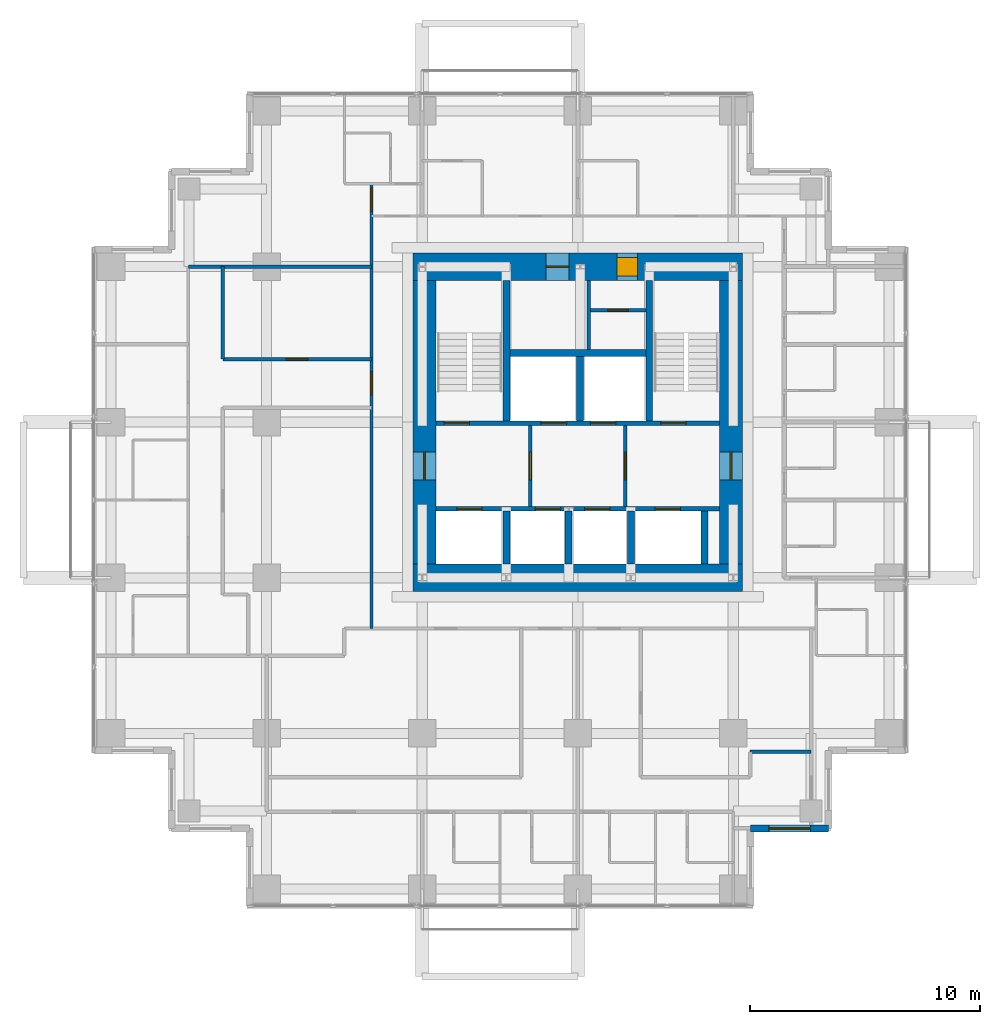
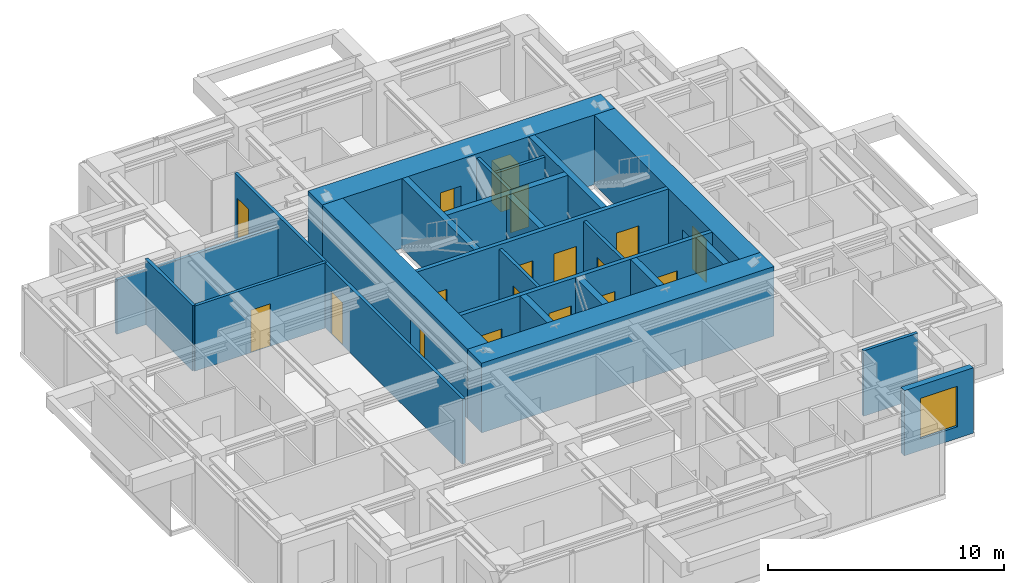
# One storey, part 7 of 10: 24 walls, 18 doors, 1 window, 19 openings.
"""IFC4 building model written with IfcOpenShell, lengths in metres."""

from ifc_helpers import new_model, si_unit, direction, frame, frame_2d, origin, place, context, subcontext, project, spatial, rectangle, extrude, material, layer, layer_set, type_object, element, fill, save


model = new_model("IFC4")

# Units and contexts
model_context = context("Model", 3, precision=1e-05, world=origin(), true_north=direction((0.0, 1.0)))
body_context = subcontext(model_context, "Body", "Model", "MODEL_VIEW")
ifc_project = project(units=[si_unit("LENGTHUNIT", "METRE"), si_unit("AREAUNIT", "SQUARE_METRE"), si_unit("VOLUMEUNIT", "CUBIC_METRE"), si_unit("PLANEANGLEUNIT", "RADIAN"), si_unit("MASSUNIT", "GRAM", prefix="KILO")], contexts=[model_context])

# Site, building, storey
site_placement = place(None, origin())
site = spatial("IfcSite", under=ifc_project, at=site_placement, CompositionType="ELEMENT")
building_placement = place(site_placement, origin())
building = spatial("IfcBuilding", under=site, at=building_placement, Name="Nyansa Garden Tower", CompositionType="ELEMENT")
storey_placement = place(building_placement, frame((0.0, 0.0, 189.0)))
storey = spatial("IfcBuildingStorey", under=building, at=storey_placement, Name="L51", CompositionType="ELEMENT", Elevation=189.0)

# Wall, openings, doors
ifc_material_1 = material(Name="Concrete C70/85", Category="concrete")
ifc_layer_1 = layer(ifc_material_1, 0.199951171875)
ifc_layer_set_1 = layer_set([ifc_layer_1], Name="Core inner wall CI200")
wall_type_1 = type_object("IfcWallType", Name="Core inner wall CI200", PredefinedType="SHEAR", material=ifc_layer_set_1)
wall_1_placement = place(storey_placement, frame((14.10009765625, 16.5, 0.0), z_axis=(0.0, 0.0, 1.0), x_axis=(1.0, 0.0, 0.0)))
wall_1 = element("IfcWall", 1, at=wall_1_placement, inside=storey, type_object=wall_type_1, Name="Core inner wall L51", PredefinedType="SHEAR", context=body_context, shape_type="SweptSolid", body=[
    extrude(rectangle(XDim=12.2998046875, YDim=0.199951171875, at=frame_2d((6.14990234375, 0.0))), origin(), (0.0, 0.0, 1.0), 3.60009765625),
])
opening_1_placement = place(wall_1_placement, frame((0.89990234375, 0.0, 0.0)))
opening_1 = element("IfcOpeningElement", 2, at=opening_1_placement, cuts=wall_1, Name="Opening LD-F", PredefinedType="OPENING", context=body_context, shape_type="SweptSolid", body=[
    extrude(rectangle(XDim=1.10009765625, YDim=2.199951171875, at=frame_2d((0.550048828125, 1.10009765625))), frame((0.0, 0.10986328125, 0.0), z_axis=(0.0, -1.0, 0.0), x_axis=(1.0, 0.0, 0.0)), (0.0, 0.0, 1.0), 0.219970703125),
])
opening_2_placement = place(wall_1_placement, frame((4.31005859375, 0.0, 0.0)))
opening_2 = element("IfcOpeningElement", 3, at=opening_2_placement, cuts=wall_1, Name="Opening LD-B", PredefinedType="OPENING", context=body_context, shape_type="SweptSolid", body=[
    extrude(rectangle(XDim=1.10009765625, YDim=2.199951171875, at=frame_2d((0.550048828125, 1.10009765625))), frame((0.0, 0.10986328125, 0.0), z_axis=(0.0, -1.0, 0.0), x_axis=(1.0, 0.0, 0.0)), (0.0, 0.0, 1.0), 0.219970703125),
])
opening_3_placement = place(wall_1_placement, frame((6.449951171875, 0.0, 0.0)))
opening_3 = element("IfcOpeningElement", 4, at=opening_3_placement, cuts=wall_1, Name="Opening LD-B", PredefinedType="OPENING", context=body_context, shape_type="SweptSolid", body=[
    extrude(rectangle(XDim=1.10009765625, YDim=2.199951171875, at=frame_2d((0.550048828125, 1.10009765625))), frame((0.0, 0.10986328125, 0.0), z_axis=(0.0, -1.0, 0.0), x_axis=(1.0, 0.0, 0.0)), (0.0, 0.0, 1.0), 0.219970703125),
])
opening_4_placement = place(wall_1_placement, frame((9.5, 0.0, 0.0)))
opening_4 = element("IfcOpeningElement", 5, at=opening_4_placement, cuts=wall_1, Name="Opening LD-F", PredefinedType="OPENING", context=body_context, shape_type="SweptSolid", body=[
    extrude(rectangle(XDim=1.10009765625, YDim=2.199951171875, at=frame_2d((0.550048828125, 1.10009765625))), frame((0.0, 0.10986328125, 0.0), z_axis=(0.0, -1.0, 0.0), x_axis=(1.0, 0.0, 0.0)), (0.0, 0.0, 1.0), 0.219970703125),
])
ifc_material_2 = material(Name="Stainless steel centre-opening landing door of the high-rise lift, E 120", Category="steel")
door_type_1 = type_object("IfcDoorType", Name="Lift landing door LD-B 1100x2200", OperationType="DOUBLE_DOOR_SLIDING", PredefinedType="DOOR", material=ifc_material_2)
door_1_placement = place(opening_2_placement, origin())
door_1 = element("IfcDoor", 6, at=door_1_placement, inside=storey, type_object=door_type_1, Name="Landing door B1", OperationType="DOUBLE_DOOR_SLIDING", OverallHeight=2.199951171875, OverallWidth=1.10009765625, PredefinedType="DOOR", context=body_context, shape_type="SweptSolid", body=[
    extrude(rectangle(XDim=1.10009765625, YDim=2.199951171875, at=frame_2d((0.550048828125, 1.10009765625))), frame((0.0, 0.02490234375, 0.0), z_axis=(0.0, -1.0, 0.0), x_axis=(1.0, 0.0, 0.0)), (0.0, 0.0, 1.0), 0.050048828125),
])
fill(opening_2, door_1)
door_2_placement = place(opening_3_placement, origin())
door_2 = element("IfcDoor", 7, at=door_2_placement, inside=storey, type_object=door_type_1, Name="Landing door B2", OperationType="DOUBLE_DOOR_SLIDING", OverallHeight=2.199951171875, OverallWidth=1.10009765625, PredefinedType="DOOR", context=body_context, shape_type="SweptSolid", body=[
    extrude(rectangle(XDim=1.10009765625, YDim=2.199951171875, at=frame_2d((0.550048828125, 1.10009765625))), frame((0.0, 0.02490234375, 0.0), z_axis=(0.0, -1.0, 0.0), x_axis=(1.0, 0.0, 0.0)), (0.0, 0.0, 1.0), 0.050048828125),
])
fill(opening_3, door_2)
ifc_material_3 = material(Name="Stainless steel centre-opening landing door of the firefighting lift, EN 81-72, E 120", Category="steel")
door_type_2 = type_object("IfcDoorType", Name="Lift landing door LD-F 1100x2200", OperationType="DOUBLE_DOOR_SLIDING", PredefinedType="DOOR", material=ifc_material_3)
door_3_placement = place(opening_1_placement, origin())
door_3 = element("IfcDoor", 8, at=door_3_placement, inside=storey, type_object=door_type_2, Name="Landing door FF1", OperationType="DOUBLE_DOOR_SLIDING", OverallHeight=2.199951171875, OverallWidth=1.10009765625, PredefinedType="DOOR", context=body_context, shape_type="SweptSolid", body=[
    extrude(rectangle(XDim=1.10009765625, YDim=2.199951171875, at=frame_2d((0.550048828125, 1.10009765625))), frame((0.0, 0.02490234375, 0.0), z_axis=(0.0, -1.0, 0.0), x_axis=(1.0, 0.0, 0.0)), (0.0, 0.0, 1.0), 0.050048828125),
])
fill(opening_1, door_3)
door_4_placement = place(opening_4_placement, origin())
door_4 = element("IfcDoor", 9, at=door_4_placement, inside=storey, type_object=door_type_2, Name="Landing door FF2", OperationType="DOUBLE_DOOR_SLIDING", OverallHeight=2.199951171875, OverallWidth=1.10009765625, PredefinedType="DOOR", context=body_context, shape_type="SweptSolid", body=[
    extrude(rectangle(XDim=1.10009765625, YDim=2.199951171875, at=frame_2d((0.550048828125, 1.10009765625))), frame((0.0, 0.02490234375, 0.0), z_axis=(0.0, -1.0, 0.0), x_axis=(1.0, 0.0, 0.0)), (0.0, 0.0, 1.0), 0.050048828125),
])
fill(opening_4, door_4)

wall_2_placement = place(storey_placement, frame((14.10009765625, 20.199951171875, 0.0), z_axis=(0.0, 0.0, 1.0), x_axis=(1.0, 0.0, 0.0)))
wall_2 = element("IfcWall", 10, at=wall_2_placement, inside=storey, type_object=wall_type_1, Name="Core inner wall L51", PredefinedType="SHEAR", context=body_context, shape_type="SweptSolid", body=[
    extrude(rectangle(XDim=12.2998046875, YDim=0.199951171875, at=frame_2d((6.14990234375, 0.0))), origin(), (0.0, 0.0, 1.0), 3.60009765625),
])
opening_5_placement = place(wall_2_placement, frame((4.56005859375, 0.0, 0.0)))
opening_5 = element("IfcOpeningElement", 11, at=opening_5_placement, cuts=wall_2, Name="Opening LD-B", PredefinedType="OPENING", context=body_context, shape_type="SweptSolid", body=[
    extrude(rectangle(XDim=1.10009765625, YDim=2.199951171875, at=frame_2d((0.550048828125, 1.10009765625))), frame((0.0, 0.10986328125, 0.0), z_axis=(0.0, -1.0, 0.0), x_axis=(1.0, 0.0, 0.0)), (0.0, 0.0, 1.0), 0.219970703125),
])
opening_6_placement = place(wall_2_placement, frame((6.699951171875, 0.0, 0.0)))
opening_6 = element("IfcOpeningElement", 12, at=opening_6_placement, cuts=wall_2, Name="Opening LD-B", PredefinedType="OPENING", context=body_context, shape_type="SweptSolid", body=[
    extrude(rectangle(XDim=1.10009765625, YDim=2.199951171875, at=frame_2d((0.550048828125, 1.10009765625))), frame((0.0, 0.10986328125, 0.0), z_axis=(0.0, -1.0, 0.0), x_axis=(1.0, 0.0, 0.0)), (0.0, 0.0, 1.0), 0.219970703125),
])
opening_7_placement = place(wall_2_placement, frame((0.35009765625, 0.0, 0.0)))
opening_7 = element("IfcOpeningElement", 13, at=opening_7_placement, cuts=wall_2, Name="Opening D05", PredefinedType="OPENING", context=body_context, shape_type="SweptSolid", body=[
    extrude(rectangle(XDim=1.10009765625, YDim=2.199951171875, at=frame_2d((0.550048828125, 1.10009765625))), frame((0.0, 0.10986328125, 0.0), z_axis=(0.0, -1.0, 0.0), x_axis=(1.0, 0.0, 0.0)), (0.0, 0.0, 1.0), 0.219970703125),
])
opening_8_placement = place(wall_2_placement, frame((9.75, 0.0, 0.0)))
opening_8 = element("IfcOpeningElement", 14, at=opening_8_placement, cuts=wall_2, Name="Opening D05", PredefinedType="OPENING", context=body_context, shape_type="SweptSolid", body=[
    extrude(rectangle(XDim=1.10009765625, YDim=2.199951171875, at=frame_2d((0.550048828125, 1.10009765625))), frame((0.0, 0.10986328125, 0.0), z_axis=(0.0, -1.0, 0.0), x_axis=(1.0, 0.0, 0.0)), (0.0, 0.0, 1.0), 0.219970703125),
])
door_5_placement = place(opening_5_placement, origin())
door_5 = element("IfcDoor", 15, at=door_5_placement, inside=storey, type_object=door_type_1, Name="Landing door B3", OperationType="DOUBLE_DOOR_SLIDING", OverallHeight=2.199951171875, OverallWidth=1.10009765625, PredefinedType="DOOR", context=body_context, shape_type="SweptSolid", body=[
    extrude(rectangle(XDim=1.10009765625, YDim=2.199951171875, at=frame_2d((0.550048828125, 1.10009765625))), frame((0.0, 0.02490234375, 0.0), z_axis=(0.0, -1.0, 0.0), x_axis=(1.0, 0.0, 0.0)), (0.0, 0.0, 1.0), 0.050048828125),
])
fill(opening_5, door_5)
door_6_placement = place(opening_6_placement, origin())
door_6 = element("IfcDoor", 16, at=door_6_placement, inside=storey, type_object=door_type_1, Name="Landing door B4", OperationType="DOUBLE_DOOR_SLIDING", OverallHeight=2.199951171875, OverallWidth=1.10009765625, PredefinedType="DOOR", context=body_context, shape_type="SweptSolid", body=[
    extrude(rectangle(XDim=1.10009765625, YDim=2.199951171875, at=frame_2d((0.550048828125, 1.10009765625))), frame((0.0, 0.02490234375, 0.0), z_axis=(0.0, -1.0, 0.0), x_axis=(1.0, 0.0, 0.0)), (0.0, 0.0, 1.0), 0.050048828125),
])
fill(opening_6, door_6)
ifc_material_4 = material(Name="Steel door, 120 minute fire resisting", Category="steel")
door_type_3 = type_object("IfcDoorType", Name="Stair door D05 1100x2200", OperationType="SINGLE_SWING_LEFT", PredefinedType="DOOR", material=ifc_material_4)
door_7_placement = place(opening_7_placement, origin())
door_7 = element("IfcDoor", 17, at=door_7_placement, inside=storey, type_object=door_type_3, Name="Stair S1 door", OperationType="SINGLE_SWING_LEFT", OverallHeight=2.199951171875, OverallWidth=1.10009765625, PredefinedType="DOOR", context=body_context, shape_type="SweptSolid", body=[
    extrude(rectangle(XDim=1.10009765625, YDim=2.199951171875, at=frame_2d((0.550048828125, 1.10009765625))), frame((0.0, 0.02490234375, 0.0), z_axis=(0.0, -1.0, 0.0), x_axis=(1.0, 0.0, 0.0)), (0.0, 0.0, 1.0), 0.050048828125),
])
fill(opening_7, door_7)
door_8_placement = place(opening_8_placement, origin())
door_8 = element("IfcDoor", 18, at=door_8_placement, inside=storey, type_object=door_type_3, Name="Stair S2 door", OperationType="SINGLE_SWING_LEFT", OverallHeight=2.199951171875, OverallWidth=1.10009765625, PredefinedType="DOOR", context=body_context, shape_type="SweptSolid", body=[
    extrude(rectangle(XDim=1.10009765625, YDim=2.199951171875, at=frame_2d((0.550048828125, 1.10009765625))), frame((0.0, 0.02490234375, 0.0), z_axis=(0.0, -1.0, 0.0), x_axis=(1.0, 0.0, 0.0)), (0.0, 0.0, 1.0), 0.050048828125),
])
fill(opening_8, door_8)

# Walls
ifc_material_5 = material(Name="Concrete C70/85", Category="concrete")
ifc_layer_2 = layer(ifc_material_5, 0.300048828125)
ifc_layer_set_2 = layer_set([ifc_layer_2], Name="Core inner wall CI300")
wall_type_2 = type_object("IfcWallType", Name="Core inner wall CI300", PredefinedType="SHEAR", material=ifc_layer_set_2)
for number, where, z_axis, x_axis, name in (
    (19, (17.14990234375, 20.300048828125, 0.0), (0.0, 0.0, 1.0), (0.0, 1.0, 0.0), "Core inner wall L51"),
    (20, (23.35009765625, 20.300048828125, 0.0), (0.0, 0.0, 1.0), (0.0, 1.0, 0.0), "Core inner wall L51"),
):
    element("IfcWall", number, at=place(storey_placement, frame(where, z_axis=z_axis, x_axis=x_axis)), inside=storey, type_object=wall_type_2, Name=name, PredefinedType="SHEAR", context=body_context, shape_type="SweptSolid", body=[
        extrude(rectangle(XDim=6.099853515625, YDim=0.300048828125, at=frame_2d((3.0498046875, 0.0))), origin(), (0.0, 0.0, 1.0), 3.60009765625),
    ])
wall_3_placement = place(storey_placement, frame((20.35009765625, 20.300048828125, 0.0), z_axis=(0.0, 0.0, 1.0), x_axis=(0.0, 1.0, 0.0)))
element("IfcWall", 21, at=wall_3_placement, inside=storey, type_object=wall_type_2, Name="Core inner wall L51", PredefinedType="SHEAR", context=body_context, shape_type="SweptSolid", body=[
    extrude(rectangle(XDim=2.800048828125, YDim=0.300048828125, at=frame_2d((1.39990234375, 0.0))), origin(), (0.0, 0.0, 1.0), 3.60009765625),
])
wall_4_placement = place(storey_placement, frame((17.300048828125, 23.25, 0.0), z_axis=(0.0, 0.0, 1.0), x_axis=(1.0, 0.0, 0.0)))
element("IfcWall", 22, at=wall_4_placement, inside=storey, type_object=wall_type_2, Name="Core inner wall L51", PredefinedType="SHEAR", context=body_context, shape_type="SweptSolid", body=[
    extrude(rectangle(XDim=5.89990234375, YDim=0.300048828125, at=frame_2d((2.949951171875, 0.0))), origin(), (0.0, 0.0, 1.0), 3.60009765625),
])
for number, where, z_axis, x_axis, name in (
    (23, (17.14990234375, 14.10009765625, 0.0), (0.0, 0.0, 1.0), (0.0, 1.0, 0.0), "Core inner wall L51"),
    (24, (19.85009765625, 14.10009765625, 0.0), (0.0, 0.0, 1.0), (0.0, 1.0, 0.0), "Core inner wall L51"),
    (25, (22.550048828125, 14.10009765625, 0.0), (0.0, 0.0, 1.0), (0.0, 1.0, 0.0), "Core inner wall L51"),
    (26, (25.75, 14.10009765625, 0.0), (0.0, 0.0, 1.0), (0.0, 1.0, 0.0), "Core inner wall L51"),
):
    element("IfcWall", number, at=place(storey_placement, frame(where, z_axis=z_axis, x_axis=x_axis)), inside=storey, type_object=wall_type_2, Name=name, PredefinedType="SHEAR", context=body_context, shape_type="SweptSolid", body=[
        extrude(rectangle(XDim=2.2998046875, YDim=0.300048828125, at=frame_2d((1.14990234375, 0.0))), origin(), (0.0, 0.0, 1.0), 3.60009765625),
    ])

# Wall, opening, door
ifc_material_6 = material(Name="Concrete C80/95", Category="concrete")
ifc_layer_3 = layer(ifc_material_6, 1.0)
ifc_layer_set_3 = layer_set([ifc_layer_3], Name="Core wall CW1000")
wall_type_3 = type_object("IfcWallType", Name="Core wall CW1000", PredefinedType="SHEAR", material=ifc_layer_set_3)
wall_5_placement = place(storey_placement, frame((26.89990234375, 14.10009765625, 0.0), z_axis=(0.0, 0.0, 1.0), x_axis=(0.0, 1.0, 0.0)))
wall_5 = element("IfcWall", 27, at=wall_5_placement, inside=storey, type_object=wall_type_3, Name="Core wall E L51", PredefinedType="SHEAR", context=body_context, shape_type="SweptSolid", body=[
    extrude(rectangle(XDim=12.2998046875, YDim=1.0, at=frame_2d((6.14990234375, 0.0))), origin(), (0.0, 0.0, 1.0), 3.60009765625),
])
opening_9_placement = place(wall_5_placement, frame((3.64990234375, 0.0, 0.0)))
opening_9 = element("IfcOpeningElement", 28, at=opening_9_placement, cuts=wall_5, Name="Opening D06", PredefinedType="OPENING", context=body_context, shape_type="SweptSolid", body=[
    extrude(rectangle(XDim=1.199951171875, YDim=2.199951171875, at=frame_2d((0.60009765625, 1.10009765625))), frame((0.0, 0.510009765625, 0.0), z_axis=(0.0, -1.0, 0.0), x_axis=(1.0, 0.0, 0.0)), (0.0, 0.0, 1.0), 1.02001953125),
])
ifc_material_7 = material(Name="Steel door, 120 minute fire resisting", Category="steel")
door_type_4 = type_object("IfcDoorType", Name="Lobby door D06 1200x2200", OperationType="DOUBLE_DOOR_SINGLE_SWING", PredefinedType="DOOR", material=ifc_material_7)
door_9_placement = place(opening_9_placement, origin())
door_9 = element("IfcDoor", 29, at=door_9_placement, inside=storey, type_object=door_type_4, Name="Lift lobby door east", OperationType="DOUBLE_DOOR_SINGLE_SWING", OverallHeight=2.199951171875, OverallWidth=1.199951171875, PredefinedType="DOOR", context=body_context, shape_type="SweptSolid", body=[
    extrude(rectangle(XDim=1.199951171875, YDim=2.199951171875, at=frame_2d((0.60009765625, 1.10009765625))), frame((0.0, 0.02490234375, 0.0), z_axis=(0.0, -1.0, 0.0), x_axis=(1.0, 0.0, 0.0)), (0.0, 0.0, 1.0), 0.050048828125),
])
fill(opening_9, door_9)

wall_6_placement = place(storey_placement, frame((13.60009765625, 26.39990234375, 0.0), z_axis=(0.0, 0.0, 1.0), x_axis=(0.0, -1.0, 0.0)))
wall_6 = element("IfcWall", 30, at=wall_6_placement, inside=storey, type_object=wall_type_3, Name="Core wall W L51", PredefinedType="SHEAR", context=body_context, shape_type="SweptSolid", body=[
    extrude(rectangle(XDim=12.2998046875, YDim=1.0, at=frame_2d((6.14990234375, 0.0))), origin(), (0.0, 0.0, 1.0), 3.60009765625),
])
opening_10_placement = place(wall_6_placement, frame((7.449951171875, 0.0, 0.0)))
opening_10 = element("IfcOpeningElement", 31, at=opening_10_placement, cuts=wall_6, Name="Opening D06", PredefinedType="OPENING", context=body_context, shape_type="SweptSolid", body=[
    extrude(rectangle(XDim=1.199951171875, YDim=2.199951171875, at=frame_2d((0.60009765625, 1.10009765625))), frame((0.0, 0.510009765625, 0.0), z_axis=(0.0, -1.0, 0.0), x_axis=(1.0, 0.0, 0.0)), (0.0, 0.0, 1.0), 1.02001953125),
])
door_10_placement = place(opening_10_placement, origin())
door_10 = element("IfcDoor", 32, at=door_10_placement, inside=storey, type_object=door_type_4, Name="Lift lobby door west", OperationType="DOUBLE_DOOR_SINGLE_SWING", OverallHeight=2.199951171875, OverallWidth=1.199951171875, PredefinedType="DOOR", context=body_context, shape_type="SweptSolid", body=[
    extrude(rectangle(XDim=1.199951171875, YDim=2.199951171875, at=frame_2d((0.60009765625, 1.10009765625))), frame((0.0, 0.02490234375, 0.0), z_axis=(0.0, -1.0, 0.0), x_axis=(1.0, 0.0, 0.0)), (0.0, 0.0, 1.0), 0.050048828125),
])
fill(opening_10, door_10)

# Wall
ifc_material_8 = material(Name="Concrete C80/95", Category="concrete")
ifc_layer_4 = layer(ifc_material_8, 1.199951171875)
ifc_layer_set_4 = layer_set([ifc_layer_4], Name="Core wall CW1200")
wall_type_4 = type_object("IfcWallType", Name="Core wall CW1200", PredefinedType="SHEAR", material=ifc_layer_set_4)
wall_7_placement = place(storey_placement, frame((13.10009765625, 13.5, 0.0), z_axis=(0.0, 0.0, 1.0), x_axis=(1.0, 0.0, 0.0)))
element("IfcWall", 33, at=wall_7_placement, inside=storey, type_object=wall_type_4, Name="Core wall S L51", PredefinedType="SHEAR", context=body_context, shape_type="SweptSolid", body=[
    extrude(rectangle(XDim=14.2998046875, YDim=1.199951171875, at=frame_2d((7.14990234375, 0.0))), origin(), (0.0, 0.0, 1.0), 3.60009765625),
])

# Wall, openings, doors
wall_8_placement = place(storey_placement, frame((27.39990234375, 27.0, 0.0), z_axis=(0.0, 0.0, 1.0), x_axis=(-1.0, 0.0, 0.0)))
wall_8 = element("IfcWall", 34, at=wall_8_placement, inside=storey, type_object=wall_type_4, Name="Core wall N L51", PredefinedType="SHEAR", context=body_context, shape_type="SweptSolid", body=[
    extrude(rectangle(XDim=14.2998046875, YDim=1.199951171875, at=frame_2d((7.14990234375, 0.0))), origin(), (0.0, 0.0, 1.0), 3.60009765625),
])
opening_11_placement = place(wall_8_placement, frame((4.550048828125, 0.0, 0.0)))
opening_11 = element("IfcOpeningElement", 35, at=opening_11_placement, cuts=wall_8, Name="Opening D15", PredefinedType="OPENING", context=body_context, shape_type="SweptSolid", body=[
    extrude(rectangle(XDim=0.89990234375, YDim=2.199951171875, at=frame_2d((0.449951171875, 1.10009765625))), frame((0.0, 0.60986328125, 0.0), z_axis=(0.0, -1.0, 0.0), x_axis=(1.0, 0.0, 0.0)), (0.0, 0.0, 1.0), 1.219970703125),
])
opening_12_placement = place(wall_8_placement, frame((7.52490234375, 0.0, 0.0)))
opening_12 = element("IfcOpeningElement", 36, at=opening_12_placement, cuts=wall_8, Name="Opening D07", PredefinedType="OPENING", context=body_context, shape_type="SweptSolid", body=[
    extrude(rectangle(XDim=1.0, YDim=2.199951171875, at=frame_2d((0.5, 1.10009765625))), frame((0.0, 0.60986328125, 0.0), z_axis=(0.0, -1.0, 0.0), x_axis=(1.0, 0.0, 0.0)), (0.0, 0.0, 1.0), 1.219970703125),
])
ifc_material_9 = material(Name="Timber flush door, 60 minute fire resisting, self-closing", Category="wood")
door_type_5 = type_object("IfcDoorType", Name="Core room door D15 900x2200", OperationType="SINGLE_SWING_LEFT", PredefinedType="DOOR", material=ifc_material_9)
door_11_placement = place(opening_11_placement, origin())
door_11 = element("IfcDoor", 37, at=door_11_placement, inside=storey, type_object=door_type_5, Name="Core room door", OperationType="SINGLE_SWING_LEFT", OverallHeight=2.199951171875, OverallWidth=0.89990234375, PredefinedType="DOOR", context=body_context, shape_type="SweptSolid", body=[
    extrude(rectangle(XDim=0.89990234375, YDim=2.199951171875, at=frame_2d((0.449951171875, 1.10009765625))), frame((0.0, 0.39990234375, 0.0), z_axis=(0.0, -1.0, 0.0), x_axis=(1.0, 0.0, 0.0)), (0.0, 0.0, 1.0), 0.800048828125),
])
fill(opening_11, door_11)
ifc_material_10 = material(Name="Steel door, 120 minute fire resisting", Category="steel")
door_type_6 = type_object("IfcDoorType", Name="Riser door D07 1000x2200", OperationType="SINGLE_SWING_LEFT", PredefinedType="DOOR", material=ifc_material_10)
door_12_placement = place(opening_12_placement, origin())
door_12 = element("IfcDoor", 38, at=door_12_placement, inside=storey, type_object=door_type_6, Name="Riser and refuse room door", OperationType="SINGLE_SWING_LEFT", OverallHeight=2.199951171875, OverallWidth=1.0, PredefinedType="DOOR", context=body_context, shape_type="SweptSolid", body=[
    extrude(rectangle(XDim=1.0, YDim=2.199951171875, at=frame_2d((0.5, 1.10009765625))), frame((0.0, 0.02490234375, 0.0), z_axis=(0.0, -1.0, 0.0), x_axis=(1.0, 0.0, 0.0)), (0.0, 0.0, 1.0), 0.050048828125),
])
fill(opening_12, door_12)

# Wall, opening, door
ifc_material_11 = material(Name="Blockwork, plastered both sides", Category="masonry")
ifc_layer_5 = layer(ifc_material_11, 0.14990234375)
ifc_layer_set_5 = layer_set([ifc_layer_5], Name="Partition PW150")
wall_type_5 = type_object("IfcWallType", Name="Partition PW150", PredefinedType="PARTITIONING", material=ifc_layer_set_5)
wall_9_placement = place(storey_placement, frame((18.18505859375, 16.60009765625, 0.0), z_axis=(0.0, 0.0, 1.0), x_axis=(0.0, 1.0, 0.0)))
wall_9 = element("IfcWall", 39, at=wall_9_placement, inside=storey, type_object=wall_type_5, Name="Partition", PredefinedType="PARTITIONING", context=body_context, shape_type="SweptSolid", body=[
    extrude(rectangle(XDim=3.5, YDim=0.14990234375, at=frame_2d((1.75, 0.0))), origin(), (0.0, 0.0, 1.0), 3.375),
])
opening_13_placement = place(wall_9_placement, frame((1.14990234375, 0.0, 0.0)))
opening_13 = element("IfcOpeningElement", 40, at=opening_13_placement, cuts=wall_9, Name="Opening D06", PredefinedType="OPENING", context=body_context, shape_type="SweptSolid", body=[
    extrude(rectangle(XDim=1.199951171875, YDim=2.199951171875, at=frame_2d((0.60009765625, 1.10009765625))), frame((0.0, 0.0849609375, 0.0), z_axis=(0.0, -1.0, 0.0), x_axis=(1.0, 0.0, 0.0)), (0.0, 0.0, 1.0), 0.169921875),
])
door_13_placement = place(opening_13_placement, origin())
door_13 = element("IfcDoor", 41, at=door_13_placement, inside=storey, type_object=door_type_4, Name="Passenger lift lobby door", OperationType="DOUBLE_DOOR_SINGLE_SWING", OverallHeight=2.199951171875, OverallWidth=1.199951171875, PredefinedType="DOOR", context=body_context, shape_type="SweptSolid", body=[
    extrude(rectangle(XDim=1.199951171875, YDim=2.199951171875, at=frame_2d((0.60009765625, 1.10009765625))), frame((0.0, 0.02490234375, 0.0), z_axis=(0.0, -1.0, 0.0), x_axis=(1.0, 0.0, 0.0)), (0.0, 0.0, 1.0), 0.050048828125),
])
fill(opening_13, door_13)

wall_10_placement = place(storey_placement, frame((22.31494140625, 16.60009765625, 0.0), z_axis=(0.0, 0.0, 1.0), x_axis=(0.0, 1.0, 0.0)))
wall_10 = element("IfcWall", 42, at=wall_10_placement, inside=storey, type_object=wall_type_5, Name="Partition", PredefinedType="PARTITIONING", context=body_context, shape_type="SweptSolid", body=[
    extrude(rectangle(XDim=3.5, YDim=0.14990234375, at=frame_2d((1.75, 0.0))), origin(), (0.0, 0.0, 1.0), 3.375),
])
opening_14_placement = place(wall_10_placement, frame((1.14990234375, 0.0, 0.0)))
opening_14 = element("IfcOpeningElement", 43, at=opening_14_placement, cuts=wall_10, Name="Opening D06", PredefinedType="OPENING", context=body_context, shape_type="SweptSolid", body=[
    extrude(rectangle(XDim=1.199951171875, YDim=2.199951171875, at=frame_2d((0.60009765625, 1.10009765625))), frame((0.0, 0.0849609375, 0.0), z_axis=(0.0, -1.0, 0.0), x_axis=(1.0, 0.0, 0.0)), (0.0, 0.0, 1.0), 0.169921875),
])
door_14_placement = place(opening_14_placement, origin())
door_14 = element("IfcDoor", 44, at=door_14_placement, inside=storey, type_object=door_type_4, Name="Passenger lift lobby door", OperationType="DOUBLE_DOOR_SINGLE_SWING", OverallHeight=2.199951171875, OverallWidth=1.199951171875, PredefinedType="DOOR", context=body_context, shape_type="SweptSolid", body=[
    extrude(rectangle(XDim=1.199951171875, YDim=2.199951171875, at=frame_2d((0.60009765625, 1.10009765625))), frame((0.0, 0.02490234375, 0.0), z_axis=(0.0, -1.0, 0.0), x_axis=(1.0, 0.0, 0.0)), (0.0, 0.0, 1.0), 0.050048828125),
])
fill(opening_14, door_14)

# Wall
wall_11_placement = place(storey_placement, frame((20.72509765625, 23.39990234375, 0.0), z_axis=(0.0, 0.0, 1.0), x_axis=(0.0, 1.0, 0.0)))
element("IfcWall", 45, at=wall_11_placement, inside=storey, type_object=wall_type_5, Name="Partition", PredefinedType="PARTITIONING", context=body_context, shape_type="SweptSolid", body=[
    extrude(rectangle(XDim=3.0, YDim=0.14990234375, at=frame_2d((1.5, 0.0))), origin(), (0.0, 0.0, 1.0), 3.375),
])

# Wall, opening, door
wall_12_placement = place(storey_placement, frame((20.800048828125, 25.10009765625, 0.0), z_axis=(0.0, 0.0, 1.0), x_axis=(1.0, 0.0, 0.0)))
wall_12 = element("IfcWall", 46, at=wall_12_placement, inside=storey, type_object=wall_type_5, Name="Partition", PredefinedType="PARTITIONING", context=body_context, shape_type="SweptSolid", body=[
    extrude(rectangle(XDim=2.39990234375, YDim=0.14990234375, at=frame_2d((1.199951171875, 0.0))), origin(), (0.0, 0.0, 1.0), 3.375),
])
opening_15_placement = place(wall_12_placement, frame((0.75, 0.0, 0.0)))
opening_15 = element("IfcOpeningElement", 47, at=opening_15_placement, cuts=wall_12, Name="Opening D02", PredefinedType="OPENING", context=body_context, shape_type="SweptSolid", body=[
    extrude(rectangle(XDim=0.89990234375, YDim=2.199951171875, at=frame_2d((0.449951171875, 1.10009765625))), frame((0.0, 0.0849609375, 0.0), z_axis=(0.0, -1.0, 0.0), x_axis=(1.0, 0.0, 0.0)), (0.0, 0.0, 1.0), 0.169921875),
])
ifc_material_12 = material(Name="Timber flush door", Category="wood")
door_type_7 = type_object("IfcDoorType", Name="En-suite door D02 900x2200", OperationType="SINGLE_SWING_RIGHT", PredefinedType="DOOR", material=ifc_material_12)
door_15_placement = place(opening_15_placement, origin())
door_15 = element("IfcDoor", 48, at=door_15_placement, inside=storey, type_object=door_type_7, Name="Staff WC door", OperationType="SINGLE_SWING_RIGHT", OverallHeight=2.199951171875, OverallWidth=0.89990234375, PredefinedType="DOOR", context=body_context, shape_type="SweptSolid", body=[
    extrude(rectangle(XDim=0.89990234375, YDim=2.199951171875, at=frame_2d((0.449951171875, 1.10009765625))), frame((0.0, 0.02490234375, 0.0), z_axis=(0.0, -1.0, 0.0), x_axis=(1.0, 0.0, 0.0)), (0.0, 0.0, 1.0), 0.050048828125),
])
fill(opening_15, door_15)

# Walls
wall_13_placement = place(storey_placement, frame((3.35009765625, 27.0, 0.0), z_axis=(0.0, 0.0, 1.0), x_axis=(1.0, 0.0, 0.0)))
element("IfcWall", 49, at=wall_13_placement, inside=storey, type_object=wall_type_5, Name="Partition", PredefinedType="PARTITIONING", context=body_context, shape_type="SweptSolid", body=[
    extrude(rectangle(XDim=7.949951171875, YDim=0.14990234375, at=frame_2d((3.97509765625, 0.0))), origin(), (0.0, 0.0, 1.0), 2.805908203125),
])
wall_14_placement = place(storey_placement, frame((4.85009765625, 22.987548828125, 0.0), z_axis=(0.0, 0.0, 1.0), x_axis=(0.0, 1.0, 0.0)))
element("IfcWall", 50, at=wall_14_placement, inside=storey, type_object=wall_type_5, Name="Partition", PredefinedType="PARTITIONING", context=body_context, shape_type="SweptSolid", body=[
    extrude(rectangle(XDim=4.012451171875, YDim=0.14990234375, at=frame_2d((2.00634765625, 0.0))), origin(), (0.0, 0.0, 1.0), 3.375),
])

# Wall, opening, door
wall_15_placement = place(storey_placement, frame((4.85009765625, 22.988037109375, 0.0), z_axis=(0.0, 0.0, 1.0), x_axis=(1.0, 0.0, 0.0)))
wall_15 = element("IfcWall", 51, at=wall_15_placement, inside=storey, type_object=wall_type_5, Name="Partition", PredefinedType="PARTITIONING", context=body_context, shape_type="SweptSolid", body=[
    extrude(rectangle(XDim=6.449951171875, YDim=0.14990234375, at=frame_2d((3.22509765625, 0.0))), origin(), (0.0, 0.0, 1.0), 3.375),
])
opening_16_placement = place(wall_15_placement, frame((2.75, 0.0, 0.0)))
opening_16 = element("IfcOpeningElement", 52, at=opening_16_placement, cuts=wall_15, Name="Opening D01", PredefinedType="OPENING", context=body_context, shape_type="SweptSolid", body=[
    extrude(rectangle(XDim=0.949951171875, YDim=2.199951171875, at=frame_2d((0.47509765625, 1.10009765625))), frame((0.0, 0.0849609375, 0.0), z_axis=(0.0, -1.0, 0.0), x_axis=(1.0, 0.0, 0.0)), (0.0, 0.0, 1.0), 0.169921875),
])
ifc_material_13 = material(Name="Timber flush door, 30 minute fire resisting", Category="wood")
door_type_8 = type_object("IfcDoorType", Name="Bedroom door D01 950x2200", OperationType="SINGLE_SWING_LEFT", PredefinedType="DOOR", material=ifc_material_13)
door_16_placement = place(opening_16_placement, origin())
door_16 = element("IfcDoor", 53, at=door_16_placement, inside=storey, type_object=door_type_8, Name="Door L51-057", OperationType="SINGLE_SWING_LEFT", OverallHeight=2.199951171875, OverallWidth=0.949951171875, PredefinedType="DOOR", context=body_context, shape_type="SweptSolid", body=[
    extrude(rectangle(XDim=0.949951171875, YDim=2.199951171875, at=frame_2d((0.47509765625, 1.10009765625))), frame((0.0, 0.02490234375, 0.0), z_axis=(0.0, -1.0, 0.0), x_axis=(1.0, 0.0, 0.0)), (0.0, 0.0, 1.0), 0.050048828125),
])
fill(opening_16, door_16)

# Wall, openings, doors
wall_16_placement = place(storey_placement, frame((11.300048828125, 11.300048828125, 0.0), z_axis=(0.0, 0.0, 1.0), x_axis=(0.0, 1.0, 0.0)))
wall_16 = element("IfcWall", 54, at=wall_16_placement, inside=storey, type_object=wall_type_5, Name="Partition", PredefinedType="PARTITIONING", context=body_context, shape_type="SweptSolid", body=[
    extrude(rectangle(XDim=19.300048828125, YDim=0.14990234375, at=frame_2d((9.64990234375, 0.0))), origin(), (0.0, 0.0, 1.0), 3.375),
])
opening_17_placement = place(wall_16_placement, frame((18.10009765625, 0.0, 0.0)))
opening_17 = element("IfcOpeningElement", 55, at=opening_17_placement, cuts=wall_16, Name="Opening D03", PredefinedType="OPENING", context=body_context, shape_type="SweptSolid", body=[
    extrude(rectangle(XDim=1.0, YDim=2.199951171875, at=frame_2d((0.5, 1.10009765625))), frame((0.0, 0.0849609375, 0.0), z_axis=(0.0, -1.0, 0.0), x_axis=(1.0, 0.0, 0.0)), (0.0, 0.0, 1.0), 0.169921875),
])
opening_18_placement = place(wall_16_placement, frame((10.137451171875, 0.0, 0.0)))
opening_18 = element("IfcOpeningElement", 56, at=opening_18_placement, cuts=wall_16, Name="Opening D03", PredefinedType="OPENING", context=body_context, shape_type="SweptSolid", body=[
    extrude(rectangle(XDim=1.0, YDim=2.199951171875, at=frame_2d((0.5, 1.10009765625))), frame((0.0, 0.0849609375, 0.0), z_axis=(0.0, -1.0, 0.0), x_axis=(1.0, 0.0, 0.0)), (0.0, 0.0, 1.0), 0.169921875),
])
ifc_material_14 = material(Name="Timber flush door, 60 minute fire resisting", Category="wood")
door_type_9 = type_object("IfcDoorType", Name="Cluster entrance door D03 1000x2200", OperationType="SINGLE_SWING_LEFT", PredefinedType="DOOR", material=ifc_material_14)
door_17_placement = place(opening_17_placement, origin())
door_17 = element("IfcDoor", 57, at=door_17_placement, inside=storey, type_object=door_type_9, Name="Door L51-050", OperationType="SINGLE_SWING_LEFT", OverallHeight=2.199951171875, OverallWidth=1.0, PredefinedType="DOOR", context=body_context, shape_type="SweptSolid", body=[
    extrude(rectangle(XDim=1.0, YDim=2.199951171875, at=frame_2d((0.5, 1.10009765625))), frame((0.0, 0.02490234375, 0.0), z_axis=(0.0, -1.0, 0.0), x_axis=(1.0, 0.0, 0.0)), (0.0, 0.0, 1.0), 0.050048828125),
])
fill(opening_17, door_17)
door_18_placement = place(opening_18_placement, origin())
door_18 = element("IfcDoor", 58, at=door_18_placement, inside=storey, type_object=door_type_9, Name="Door L51-055", OperationType="SINGLE_SWING_LEFT", OverallHeight=2.199951171875, OverallWidth=1.0, PredefinedType="DOOR", context=body_context, shape_type="SweptSolid", body=[
    extrude(rectangle(XDim=1.0, YDim=2.199951171875, at=frame_2d((0.5, 1.10009765625))), frame((0.0, 0.02490234375, 0.0), z_axis=(0.0, -1.0, 0.0), x_axis=(1.0, 0.0, 0.0)), (0.0, 0.0, 1.0), 0.050048828125),
])
fill(opening_18, door_18)

# Wall
wall_17_placement = place(storey_placement, frame((27.72509765625, 5.949951171875, 0.0), z_axis=(0.0, 0.0, 1.0), x_axis=(1.0, 0.0, 0.0)))
element("IfcWall", 59, at=wall_17_placement, inside=storey, type_object=wall_type_5, Name="Partition", PredefinedType="PARTITIONING", context=body_context, shape_type="SweptSolid", body=[
    extrude(rectangle(XDim=2.64990234375, YDim=0.14990234375, at=frame_2d((1.324951171875, 0.0))), origin(), (0.0, 0.0, 1.0), 3.375),
])

# Wall, opening, window
ifc_material_15 = material(Name="Turquoise glazed tile on concrete blockwork", Category="masonry")
ifc_layer_6 = layer(ifc_material_15, 0.300048828125)
ifc_layer_set_6 = layer_set([ifc_layer_6], Name="Tiled corner wall TW300")
wall_type_6 = type_object("IfcWallType", Name="Tiled corner wall TW300", PredefinedType="SOLIDWALL", material=ifc_layer_set_6)
wall_18_placement = place(storey_placement, frame((27.75, 2.625, 0.0), z_axis=(0.0, 0.0, 1.0), x_axis=(1.0, 0.0, 0.0)))
wall_18 = element("IfcWall", 60, at=wall_18_placement, inside=storey, type_object=wall_type_6, Name="Tiled corner wall L51", PredefinedType="SOLIDWALL", context=body_context, shape_type="SweptSolid", body=[
    extrude(rectangle(XDim=3.375, YDim=0.300048828125, at=frame_2d((1.6875, 0.0))), origin(), (0.0, 0.0, 1.0), 3.375),
])
opening_19_placement = place(wall_18_placement, frame((0.78759765625, 0.0, 0.60009765625)))
opening_19 = element("IfcOpeningElement", 61, at=opening_19_placement, cuts=wall_18, Name="Opening W2", PredefinedType="OPENING", context=body_context, shape_type="SweptSolid", body=[
    extrude(rectangle(XDim=1.800048828125, YDim=2.10009765625, at=frame_2d((0.89990234375, 1.050048828125))), frame((0.0, 0.159912109375, 0.0), z_axis=(0.0, -1.0, 0.0), x_axis=(1.0, 0.0, 0.0)), (0.0, 0.0, 1.0), 0.320068359375),
])
ifc_material_16 = material(Name="Black aluminium frame, dark tinted double glazing", Category="aluminium")
window_type = type_object("IfcWindowType", Name="Window W2 1800x2100", PartitioningType="SINGLE_PANEL", PredefinedType="WINDOW", material=ifc_material_16)
window_placement = place(opening_19_placement, origin())
window = element("IfcWindow", 62, at=window_placement, inside=storey, type_object=window_type, Name="Corner window L51", OverallHeight=2.10009765625, OverallWidth=1.800048828125, PartitioningType="SINGLE_PANEL", PredefinedType="WINDOW", context=body_context, shape_type="SweptSolid", body=[
    extrude(rectangle(XDim=1.800048828125, YDim=2.10009765625, at=frame_2d((0.89990234375, 1.050048828125))), frame((0.0, 0.030029296875, 0.0), z_axis=(0.0, -1.0, 0.0), x_axis=(1.0, 0.0, 0.0)), (0.0, 0.0, 1.0), 0.06005859375),
])
fill(opening_19, window)

save(model, "model.ifc")
